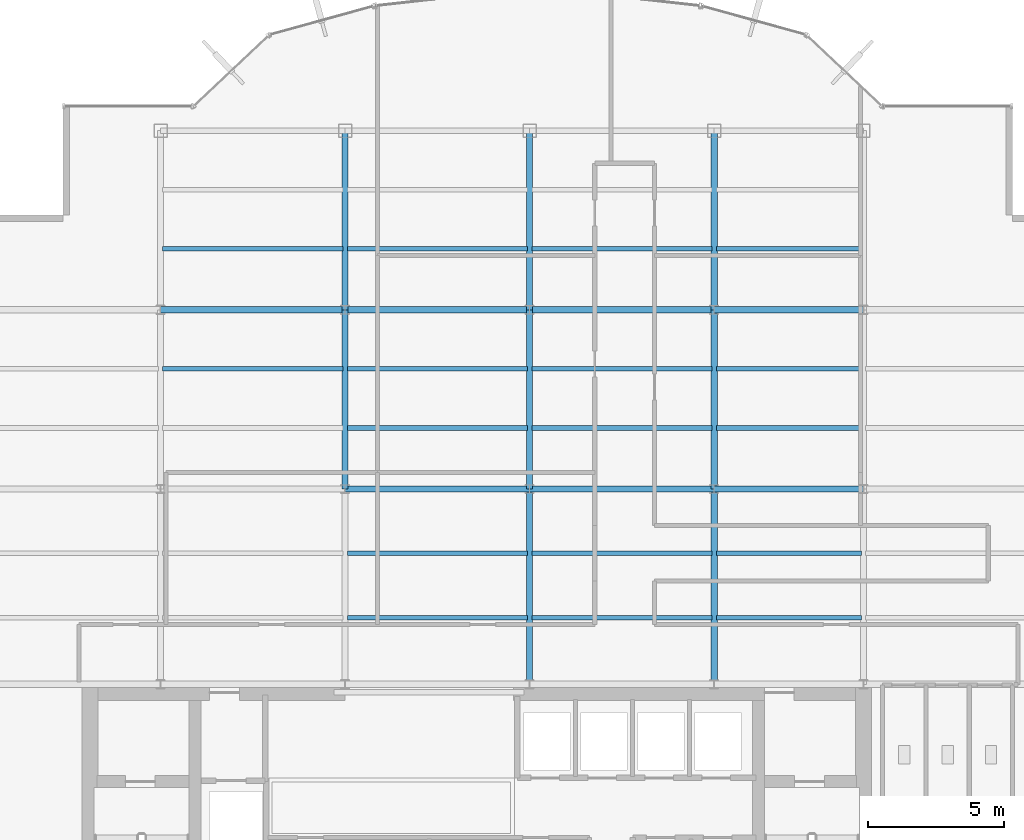
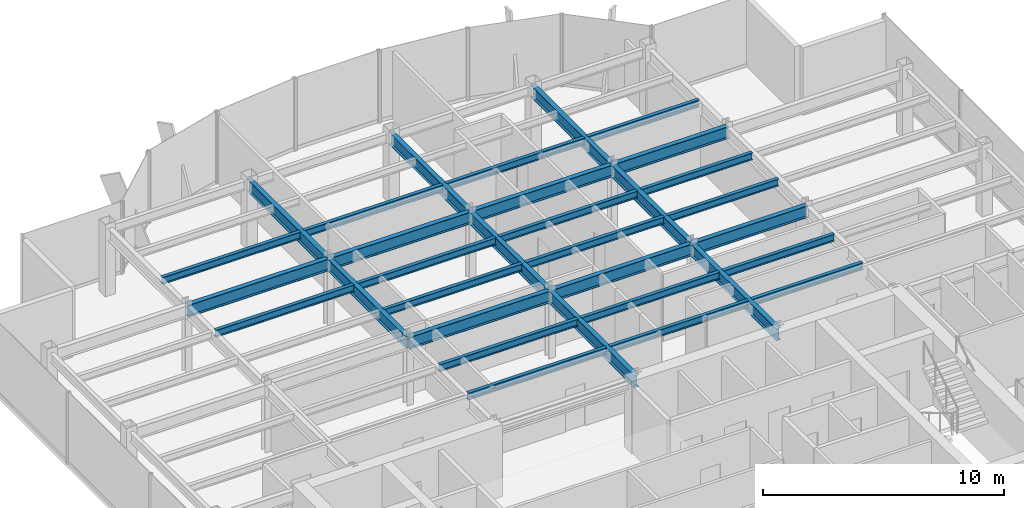
# One storey, part 8 of 22: 32 beams.
"""IFC4 building model written with IfcOpenShell, lengths in metres."""

from ifc_helpers import new_model, si_unit, derived_unit, direction, frame, origin, origin_2d, place, context, subcontext, project, spatial, i_section, extrude, source, transform, mapped, material, material_profile, profile_set, type_object, element, save


model = new_model("IFC4")

# Units and contexts
model_context = context("Model", 3, precision=1e-05, world=origin(), true_north=direction((0.0, 1.0)))
body_context = subcontext(model_context, "Body", "Model", "MODEL_VIEW")
ifc_project = project(units=[si_unit("LENGTHUNIT", "METRE"), si_unit("AREAUNIT", "SQUARE_METRE"), si_unit("VOLUMEUNIT", "CUBIC_METRE"), si_unit("PLANEANGLEUNIT", "RADIAN"), si_unit("MASSUNIT", "GRAM", prefix="KILO"), derived_unit("THERMALTRANSMITTANCEUNIT", [(si_unit("POWERUNIT", "WATT"), 1), (si_unit("LENGTHUNIT", "METRE"), -2), (si_unit("THERMODYNAMICTEMPERATUREUNIT", "KELVIN"), -1)])], contexts=[model_context])

# Site, building, storey
site_placement = place(None, origin())
site = spatial("IfcSite", under=ifc_project, at=site_placement, CompositionType="ELEMENT")
building_placement = place(site_placement, origin())
building = spatial("IfcBuilding", under=site, at=building_placement, Name="Skarnbrae Concourse Arena and Tower", CompositionType="ELEMENT")
storey_placement = place(building_placement, frame((0.0, 0.0, 217.800048828125)))
storey = spatial("IfcBuildingStorey", under=building, at=storey_placement, Name="L56", CompositionType="ELEMENT", Elevation=217.800048828125)

# Beams
ifc_material = material(Name="Steel CSA G40.21 350W", Category="steel")
ifc_material_profile_1 = material_profile(ifc_material, i_section(OverallWidth=0.22802734375, OverallDepth=0.60791015625, WebThickness=0.01123046875, FlangeThickness=0.017333984375, at=origin_2d()), Name="W610X113")
ifc_profile_set_1 = profile_set([ifc_material_profile_1], Name="Steel CSA G40.21 350W")
beam_type_1 = type_object("IfcBeamType", Name="BM-GIRD-W610X113", PredefinedType="BEAM", material=ifc_profile_set_1)
shared_shape_1 = source(origin(), body_context, "Body", "SweptSolid", [
    extrude(i_section(OverallWidth=0.22802734375, OverallDepth=0.60791015625, WebThickness=0.01123046875, FlangeThickness=0.017333984375, at=origin_2d()), origin(), (0.0, 0.0, 1.0), 6.60009765625),
])
for number, where, z_axis, x_axis, name in (
    (1, (14.39990234375, 21.199951171875, 3.095947265625), (0.0, 1.0, 0.0), (-1.0, 0.0, 0.0), "L56 Primary N-S girder X14.4-2"),
    (2, (21.199951171875, 21.199951171875, 3.095947265625), (0.0, 1.0, 0.0), (-1.0, 0.0, 0.0), "L56 Primary N-S girder X21.2-2"),
    (3, (28.0, 21.199951171875, 3.095947265625), (0.0, 1.0, 0.0), (-1.0, 0.0, 0.0), "L56 Primary N-S girder X28.0-2"),
):
    element("IfcBeam", number, at=place(storey_placement, frame(where, z_axis=z_axis, x_axis=x_axis)), inside=storey, type_object=beam_type_1, Name=name, PredefinedType="BEAM", context=body_context, shape_type="MappedRepresentation", body=[
        mapped(shared_shape_1, transform((0.0, 0.0, 0.0))),
    ])
shared_shape_2 = source(origin(), body_context, "Body", "SweptSolid", [
    extrude(i_section(OverallWidth=0.22802734375, OverallDepth=0.60791015625, WebThickness=0.01123046875, FlangeThickness=0.017333984375, at=origin_2d()), origin(), (0.0, 0.0, 1.0), 6.7998046875),
])
beam_placement = place(storey_placement, frame((7.60009765625, 27.800048828125, 3.095947265625), z_axis=(1.0, 0.0, 0.0), x_axis=(0.0, 1.0, 0.0)))
element("IfcBeam", 4, at=beam_placement, inside=storey, type_object=beam_type_1, Name="L56 Primary E-W girder Y27.8-2", PredefinedType="BEAM", context=body_context, shape_type="MappedRepresentation", body=[
    mapped(shared_shape_2, transform((0.0, 0.0, 0.0))),
])
shared_shape_3 = source(origin(), body_context, "Body", "SweptSolid", [
    extrude(i_section(OverallWidth=0.22802734375, OverallDepth=0.60791015625, WebThickness=0.01123046875, FlangeThickness=0.017333984375, at=origin_2d()), origin(), (0.0, 0.0, 1.0), 6.800048828125),
])
for number, where, z_axis, x_axis, name in (
    (5, (14.39990234375, 21.199951171875, 3.095947265625), (1.0, 0.0, 0.0), (0.0, 1.0, 0.0), "L56 Primary E-W girder Y21.2-3"),
    (6, (21.199951171875, 21.199951171875, 3.095947265625), (1.0, 0.0, 0.0), (0.0, 1.0, 0.0), "L56 Primary E-W girder Y21.2-4"),
    (7, (14.39990234375, 27.800048828125, 3.095947265625), (1.0, 0.0, 0.0), (0.0, 1.0, 0.0), "L56 Primary E-W girder Y27.8-3"),
    (8, (21.199951171875, 27.800048828125, 3.095947265625), (1.0, 0.0, 0.0), (0.0, 1.0, 0.0), "L56 Primary E-W girder Y27.8-4"),
):
    element("IfcBeam", number, at=place(storey_placement, frame(where, z_axis=z_axis, x_axis=x_axis)), inside=storey, type_object=beam_type_1, Name=name, PredefinedType="BEAM", context=body_context, shape_type="MappedRepresentation", body=[
        mapped(shared_shape_3, transform((0.0, 0.0, 0.0))),
    ])
shared_shape_4 = source(origin(), body_context, "Body", "SweptSolid", [
    extrude(i_section(OverallWidth=0.22802734375, OverallDepth=0.60791015625, WebThickness=0.01123046875, FlangeThickness=0.017333984375, at=origin_2d()), origin(), (0.0, 0.0, 1.0), 5.5),
])
for number, where, z_axis, x_axis, name in (
    (9, (28.0, 21.199951171875, 3.095947265625), (1.0, 0.0, 0.0), (0.0, 1.0, 0.0), "L56 Primary E-W girder Y21.2-5"),
    (10, (28.0, 27.800048828125, 3.095947265625), (1.0, 0.0, 0.0), (0.0, 1.0, 0.0), "L56 Primary E-W girder Y27.8-5"),
):
    element("IfcBeam", number, at=place(storey_placement, frame(where, z_axis=z_axis, x_axis=x_axis)), inside=storey, type_object=beam_type_1, Name=name, PredefinedType="BEAM", context=body_context, shape_type="MappedRepresentation", body=[
        mapped(shared_shape_4, transform((0.0, 0.0, 0.0))),
    ])
shared_shape_5 = source(origin(), body_context, "Body", "SweptSolid", [
    extrude(i_section(OverallWidth=0.22802734375, OverallDepth=0.60791015625, WebThickness=0.01123046875, FlangeThickness=0.017333984375, at=origin_2d()), origin(), (0.0, 0.0, 1.0), 7.199951171875),
])
for number, where, z_axis, x_axis, name in (
    (11, (21.199951171875, 14.0, 3.095947265625), (0.0, 1.0, 0.0), (-1.0, 0.0, 0.0), "L56 Primary N-S girder X21.2-1"),
    (12, (28.0, 14.0, 3.095947265625), (0.0, 1.0, 0.0), (-1.0, 0.0, 0.0), "L56 Primary N-S girder X28.0-1"),
):
    element("IfcBeam", number, at=place(storey_placement, frame(where, z_axis=z_axis, x_axis=x_axis)), inside=storey, type_object=beam_type_1, Name=name, PredefinedType="BEAM", context=body_context, shape_type="MappedRepresentation", body=[
        mapped(shared_shape_5, transform((0.0, 0.0, 0.0))),
    ])
shared_shape_6 = source(origin(), body_context, "Body", "SweptSolid", [
    extrude(i_section(OverallWidth=0.22802734375, OverallDepth=0.60791015625, WebThickness=0.01123046875, FlangeThickness=0.017333984375, at=origin_2d()), origin(), (0.0, 0.0, 1.0), 6.599853515625),
])
for number, where, z_axis, x_axis, name in (
    (13, (14.39990234375, 27.800048828125, 3.095947265625), (0.0, 1.0, 0.0), (-1.0, 0.0, 0.0), "L56 Primary N-S girder X14.4-3"),
    (14, (21.199951171875, 27.800048828125, 3.095947265625), (0.0, 1.0, 0.0), (-1.0, 0.0, 0.0), "L56 Primary N-S girder X21.2-3"),
    (15, (28.0, 27.800048828125, 3.095947265625), (0.0, 1.0, 0.0), (-1.0, 0.0, 0.0), "L56 Primary N-S girder X28.0-3"),
):
    element("IfcBeam", number, at=place(storey_placement, frame(where, z_axis=z_axis, x_axis=x_axis)), inside=storey, type_object=beam_type_1, Name=name, PredefinedType="BEAM", context=body_context, shape_type="MappedRepresentation", body=[
        mapped(shared_shape_6, transform((0.0, 0.0, 0.0))),
    ])
ifc_material_profile_2 = material_profile(ifc_material, i_section(OverallWidth=0.1708984375, OverallDepth=0.35498046875, WebThickness=0.007080078125, FlangeThickness=0.01171875, at=origin_2d()), Name="W360X51")
ifc_profile_set_2 = profile_set([ifc_material_profile_2], Name="Steel CSA G40.21 350W")
beam_type_2 = type_object("IfcBeamType", Name="BM-JOIST-W360X51", PredefinedType="JOIST", material=ifc_profile_set_2)
shared_shape_7 = source(origin(), body_context, "Body", "SweptSolid", [
    extrude(i_section(OverallWidth=0.1708984375, OverallDepth=0.35498046875, WebThickness=0.007080078125, FlangeThickness=0.01171875, at=origin_2d()), origin(), (0.0, 0.0, 1.0), 6.64013671875),
])
for number, where, z_axis, x_axis, name in (
    (16, (14.47998046875, 16.447998046875, 3.222412109375), (1.0, 0.0, 0.0), (0.0, 1.0, 0.0), "L56 Secondary floor joist 1.1.3"),
    (17, (14.47998046875, 18.823974609375, 3.222412109375), (1.0, 0.0, 0.0), (0.0, 1.0, 0.0), "L56 Secondary floor joist 1.2.3"),
    (18, (14.47998046875, 23.444091796875, 3.222412109375), (1.0, 0.0, 0.0), (0.0, 1.0, 0.0), "L56 Secondary floor joist 2.1.3"),
    (19, (7.679931640625, 25.6220703125, 3.222412109375), (1.0, 0.0, 0.0), (0.0, 1.0, 0.0), "L56 Secondary floor joist 2.2.2"),
    (20, (14.47998046875, 25.6220703125, 3.222412109375), (1.0, 0.0, 0.0), (0.0, 1.0, 0.0), "L56 Secondary floor joist 2.2.3"),
    (21, (7.679931640625, 30.0439453125, 3.222412109375), (1.0, 0.0, 0.0), (0.0, 1.0, 0.0), "L56 Secondary floor joist 3.1.1"),
    (22, (14.47998046875, 30.0439453125, 3.222412109375), (1.0, 0.0, 0.0), (0.0, 1.0, 0.0), "L56 Secondary floor joist 3.1.2"),
):
    element("IfcBeam", number, at=place(storey_placement, frame(where, z_axis=z_axis, x_axis=x_axis)), inside=storey, type_object=beam_type_2, Name=name, PredefinedType="JOIST", context=body_context, shape_type="MappedRepresentation", body=[
        mapped(shared_shape_7, transform((0.0, 0.0, 0.0))),
    ])
shared_shape_8 = source(origin(), body_context, "Body", "SweptSolid", [
    extrude(i_section(OverallWidth=0.1708984375, OverallDepth=0.35498046875, WebThickness=0.007080078125, FlangeThickness=0.01171875, at=origin_2d()), origin(), (0.0, 0.0, 1.0), 6.639892578125),
])
for number, where, z_axis, x_axis, name in (
    (23, (21.280029296875, 16.447998046875, 3.222412109375), (1.0, 0.0, 0.0), (0.0, 1.0, 0.0), "L56 Secondary floor joist 1.1.4"),
    (24, (21.280029296875, 18.823974609375, 3.222412109375), (1.0, 0.0, 0.0), (0.0, 1.0, 0.0), "L56 Secondary floor joist 1.2.4"),
    (25, (21.280029296875, 23.444091796875, 3.222412109375), (1.0, 0.0, 0.0), (0.0, 1.0, 0.0), "L56 Secondary floor joist 2.1.4"),
    (26, (21.280029296875, 25.6220703125, 3.222412109375), (1.0, 0.0, 0.0), (0.0, 1.0, 0.0), "L56 Secondary floor joist 2.2.4"),
    (27, (21.280029296875, 30.0439453125, 3.222412109375), (1.0, 0.0, 0.0), (0.0, 1.0, 0.0), "L56 Secondary floor joist 3.1.3"),
):
    element("IfcBeam", number, at=place(storey_placement, frame(where, z_axis=z_axis, x_axis=x_axis)), inside=storey, type_object=beam_type_2, Name=name, PredefinedType="JOIST", context=body_context, shape_type="MappedRepresentation", body=[
        mapped(shared_shape_8, transform((0.0, 0.0, 0.0))),
    ])
shared_shape_9 = source(origin(), body_context, "Body", "SweptSolid", [
    extrude(i_section(OverallWidth=0.1708984375, OverallDepth=0.35498046875, WebThickness=0.007080078125, FlangeThickness=0.01171875, at=origin_2d()), origin(), (0.0, 0.0, 1.0), 5.33984375),
])
for number, where, z_axis, x_axis, name in (
    (28, (28.080078125, 16.447998046875, 3.222412109375), (1.0, 0.0, 0.0), (0.0, 1.0, 0.0), "L56 Secondary floor joist 1.1.5"),
    (29, (28.080078125, 18.823974609375, 3.222412109375), (1.0, 0.0, 0.0), (0.0, 1.0, 0.0), "L56 Secondary floor joist 1.2.5"),
    (30, (28.080078125, 23.444091796875, 3.222412109375), (1.0, 0.0, 0.0), (0.0, 1.0, 0.0), "L56 Secondary floor joist 2.1.5"),
    (31, (28.080078125, 25.6220703125, 3.222412109375), (1.0, 0.0, 0.0), (0.0, 1.0, 0.0), "L56 Secondary floor joist 2.2.5"),
    (32, (28.080078125, 30.0439453125, 3.222412109375), (1.0, 0.0, 0.0), (0.0, 1.0, 0.0), "L56 Secondary floor joist 3.1.4"),
):
    element("IfcBeam", number, at=place(storey_placement, frame(where, z_axis=z_axis, x_axis=x_axis)), inside=storey, type_object=beam_type_2, Name=name, PredefinedType="JOIST", context=body_context, shape_type="MappedRepresentation", body=[
        mapped(shared_shape_9, transform((0.0, 0.0, 0.0))),
    ])

save(model, "model.ifc")
